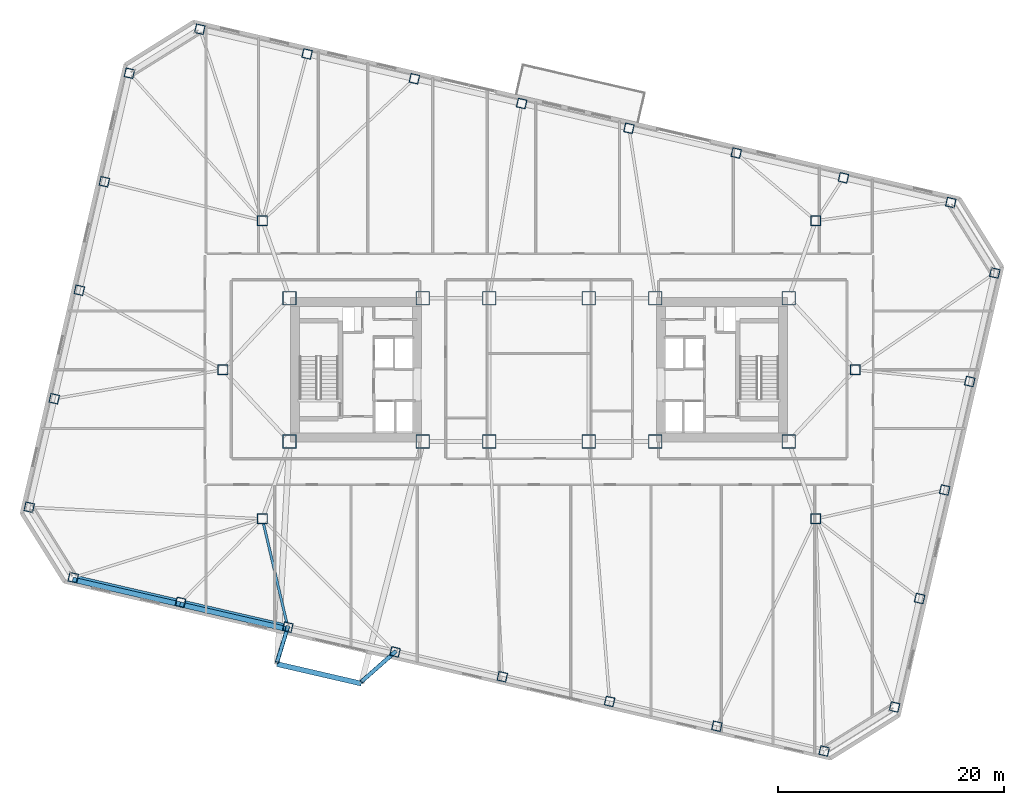
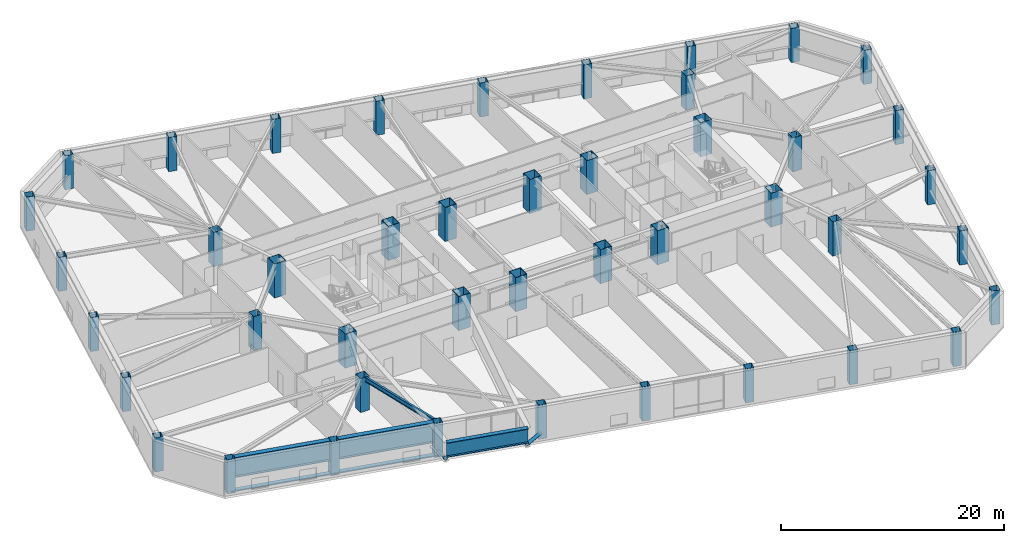
# One storey, part 1 of 20: 44 columns, 4 beams, 4 members.
"""IFC4 building model written with IfcOpenShell, lengths in metres."""

from ifc_helpers import new_model, si_unit, direction, frame, origin, origin_2d, place, context, subcontext, project, spatial, rectangle, hollow_rectangle, hollow_circle, i_section, extrude, material, material_profile, profile_set, type_object, element, save


model = new_model("IFC4")

# Units and contexts
model_context = context("Model", 3, precision=1e-05, world=origin(), true_north=direction((0.0, 1.0)))
body_context = subcontext(model_context, "Body", "Model", "MODEL_VIEW")
ifc_project = project(units=[si_unit("LENGTHUNIT", "METRE"), si_unit("AREAUNIT", "SQUARE_METRE"), si_unit("VOLUMEUNIT", "CUBIC_METRE"), si_unit("PLANEANGLEUNIT", "RADIAN"), si_unit("MASSUNIT", "GRAM", prefix="KILO")], contexts=[model_context])

# Site, building, storey
site_placement = place(None, origin())
site = spatial("IfcSite", under=ifc_project, at=site_placement, CompositionType="ELEMENT")
building_placement = place(site_placement, origin())
building = spatial("IfcBuilding", under=site, at=building_placement, Name="Tavrogorsk Clinical Tower", CompositionType="ELEMENT")
storey_placement = place(building_placement, frame((0.0, 0.0, 39.39990234375)))
storey = spatial("IfcBuildingStorey", under=building, at=storey_placement, Name="L07", CompositionType="ELEMENT", Elevation=39.39990234375)

# Columns
ifc_material_1 = material(Name="Structural steel S440", Category="steel")
ifc_material_profile_1 = material_profile(ifc_material_1, hollow_rectangle(XDim=1.199951171875, YDim=1.199951171875, WallThickness=0.050048828125, at=origin_2d()), Name="BOX-1200x1200x50")
ifc_profile_set_1 = profile_set([ifc_material_profile_1], Name="Structural steel S440")
column_type_1 = type_object("IfcColumnType", Name="MegaCol_BOX1200", PredefinedType="COLUMN", material=ifc_profile_set_1)
for number, where, z_axis, x_axis, name in (
    (1, (-22.10009765625, -6.35009765625, 0.0), (0.0, 0.0, 1.0), (1.0, 0.0, 0.0), "L07 Mega Column MC-W1"),
    (2, (-22.10009765625, 6.35009765625, 0.0), (0.0, 0.0, 1.0), (1.0, 0.0, 0.0), "L07 Mega Column MC-W2"),
    (3, (-10.300048828125, -6.35009765625, 0.0), (0.0, 0.0, 1.0), (1.0, 0.0, 0.0), "L07 Mega Column MC-W3"),
    (4, (-10.300048828125, 6.35009765625, 0.0), (0.0, 0.0, 1.0), (1.0, 0.0, 0.0), "L07 Mega Column MC-W4"),
    (5, (10.300048828125, -6.35009765625, 0.0), (0.0, 0.0, 1.0), (1.0, 0.0, 0.0), "L07 Mega Column MC-E1"),
    (6, (10.300048828125, 6.35009765625, 0.0), (0.0, 0.0, 1.0), (1.0, 0.0, 0.0), "L07 Mega Column MC-E2"),
    (7, (22.10009765625, -6.35009765625, 0.0), (0.0, 0.0, 1.0), (1.0, 0.0, 0.0), "L07 Mega Column MC-E3"),
    (8, (22.10009765625, 6.35009765625, 0.0), (0.0, 0.0, 1.0), (1.0, 0.0, 0.0), "L07 Mega Column MC-E4"),
    (9, (-4.39990234375, -6.35009765625, 0.0), (0.0, 0.0, 1.0), (1.0, 0.0, 0.0), "L07 Mega Column MC-C1"),
    (10, (4.39990234375, -6.35009765625, 0.0), (0.0, 0.0, 1.0), (1.0, 0.0, 0.0), "L07 Mega Column MC-C2"),
    (11, (-4.39990234375, 6.35009765625, 0.0), (0.0, 0.0, 1.0), (1.0, 0.0, 0.0), "L07 Mega Column MC-C3"),
    (12, (4.39990234375, 6.35009765625, 0.0), (0.0, 0.0, 1.0), (1.0, 0.0, 0.0), "L07 Mega Column MC-C4"),
):
    element("IfcColumn", number, at=place(storey_placement, frame(where, z_axis=z_axis, x_axis=x_axis)), inside=storey, type_object=column_type_1, Name=name, PredefinedType="COLUMN", context=body_context, shape_type="SweptSolid", body=[
        extrude(hollow_rectangle(XDim=1.199951171875, YDim=1.199951171875, WallThickness=0.050048828125, at=origin_2d()), origin(), (0.0, 0.0, 1.0), 3.739990234375),
    ])
ifc_material_2 = material(Name="Structural steel S440", Category="steel")
ifc_material_profile_2 = material_profile(ifc_material_2, hollow_rectangle(XDim=0.89990234375, YDim=0.89990234375, WallThickness=0.0400390625, at=origin_2d()), Name="BOX-900x900x40")
ifc_profile_set_2 = profile_set([ifc_material_profile_2], Name="Structural steel S440")
column_type_2 = type_object("IfcColumnType", Name="MegaCol_BOX900", PredefinedType="COLUMN", material=ifc_profile_set_2)
for number, where, z_axis, x_axis, name in (
    (13, (-24.5, -13.199951171875, 0.0), (0.0, 0.0, 1.0), (1.0, 0.0, 0.0), "L07 Spine Pilotis Column MC-P1"),
    (14, (24.5, -13.199951171875, 0.0), (0.0, 0.0, 1.0), (1.0, 0.0, 0.0), "L07 Spine Pilotis Column MC-P2"),
    (15, (-24.5, 13.199951171875, 0.0), (0.0, 0.0, 1.0), (1.0, 0.0, 0.0), "L07 Spine Pilotis Column MC-P3"),
    (16, (24.5, 13.199951171875, 0.0), (0.0, 0.0, 1.0), (1.0, 0.0, 0.0), "L07 Spine Pilotis Column MC-P4"),
    (17, (-28.0, 0.0, 0.0), (0.0, 0.0, 1.0), (1.0, 0.0, 0.0), "L07 Spine Pilotis Column MC-P5"),
    (18, (28.0, 0.0, 0.0), (0.0, 0.0, 1.0), (1.0, 0.0, 0.0), "L07 Spine Pilotis Column MC-P6"),
):
    element("IfcColumn", number, at=place(storey_placement, frame(where, z_axis=z_axis, x_axis=x_axis)), inside=storey, type_object=column_type_2, Name=name, PredefinedType="COLUMN", context=body_context, shape_type="SweptSolid", body=[
        extrude(hollow_rectangle(XDim=0.89990234375, YDim=0.89990234375, WallThickness=0.0400390625, at=origin_2d()), origin(), (0.0, 0.0, 1.0), 3.739990234375),
    ])
ifc_material_3 = material(Name="Structural steel S440", Category="steel")
ifc_material_profile_3 = material_profile(ifc_material_3, hollow_rectangle(XDim=0.800048828125, YDim=0.800048828125, WallThickness=0.035888671875, at=origin_2d()), Name="BOX-800x800x36")
ifc_profile_set_3 = profile_set([ifc_material_profile_3], Name="Structural steel S440")
column_type_3 = type_object("IfcColumnType", Name="PerimCol_B1_BOX800", PredefinedType="COLUMN", material=ifc_profile_set_3)
for number, where, z_axis, x_axis, name in (
    (19, (-41.251220703125, -18.406005859375, 0.0), (0.0, 0.0, 1.0), (0.974370064785, -0.224951054344, 0.0), "L07 Perimeter Column S1"),
    (20, (-31.75244140625, -20.598876953125, 0.0), (0.0, 0.0, 1.0), (0.974370064785, -0.224951054344, 0.0), "L07 Perimeter Column S2"),
    (21, (-22.25390625, -22.7919921875, 0.0), (0.0, 0.0, 1.0), (0.974370064785, -0.224951054344, 0.0), "L07 Perimeter Column S3"),
    (22, (-12.755126953125, -24.98486328125, 0.0), (0.0, 0.0, 1.0), (0.974370064785, -0.224951054344, 0.0), "L07 Perimeter Column S4"),
    (23, (-3.25634765625, -27.177734375, 0.0), (0.0, 0.0, 1.0), (0.974370064785, -0.224951054344, 0.0), "L07 Perimeter Column S5"),
    (24, (6.2421875, -29.37060546875, 0.0), (0.0, 0.0, 1.0), (0.974370064785, -0.224951054344, 0.0), "L07 Perimeter Column S6"),
    (25, (15.740966796875, -31.563720703125, 0.0), (0.0, 0.0, 1.0), (0.974370064785, -0.224951054344, 0.0), "L07 Perimeter Column S7"),
    (26, (25.23974609375, -33.756591796875, 0.0), (0.0, 0.0, 1.0), (0.974370064785, -0.224951054344, 0.0), "L07 Perimeter Column S8"),
    (27, (36.451416015625, 14.805908203125, 0.0), (0.0, 0.0, 1.0), (0.974370064785, -0.224951054344, 0.0), "L07 Perimeter Column N1"),
    (28, (26.952392578125, 16.998779296875, 0.0), (0.0, 0.0, 1.0), (0.974370064785, -0.224951054344, 0.0), "L07 Perimeter Column N2"),
    (29, (17.453857421875, 19.19189453125, 0.0), (0.0, 0.0, 1.0), (0.974370064785, -0.224951054344, 0.0), "L07 Perimeter Column N3"),
    (30, (7.955078125, 21.384765625, 0.0), (0.0, 0.0, 1.0), (0.974370064785, -0.224951054344, 0.0), "L07 Perimeter Column N4"),
    (31, (-1.543701171875, 23.577880859375, 0.0), (0.0, 0.0, 1.0), (0.974370064785, -0.224951054344, 0.0), "L07 Perimeter Column N5"),
    (32, (-11.042236328125, 25.770751953125, 0.0), (0.0, 0.0, 1.0), (0.974370064785, -0.224951054344, 0.0), "L07 Perimeter Column N6"),
    (33, (-20.541015625, 27.963623046875, 0.0), (0.0, 0.0, 1.0), (0.974370064785, -0.224951054344, 0.0), "L07 Perimeter Column N7"),
    (34, (-30.039794921875, 30.156494140625, 0.0), (0.0, 0.0, 1.0), (0.974370064785, -0.224951054344, 0.0), "L07 Perimeter Column N8"),
    (35, (31.476318359375, -29.859619140625, 0.0), (0.0, 0.0, 1.0), (0.974370064785, -0.224951054344, 0.0), "L07 Perimeter Column E1"),
    (36, (33.694091796875, -20.25244140625, 0.0), (0.0, 0.0, 1.0), (0.974370064785, -0.224951054344, 0.0), "L07 Perimeter Column E2"),
    (37, (35.912109375, -10.64501953125, 0.0), (0.0, 0.0, 1.0), (0.974370064785, -0.224951054344, 0.0), "L07 Perimeter Column E3"),
    (38, (38.130126953125, -1.037841796875, 0.0), (0.0, 0.0, 1.0), (0.974370064785, -0.224951054344, 0.0), "L07 Perimeter Column E4"),
    (39, (40.348388671875, 8.569580078125, 0.0), (0.0, 0.0, 1.0), (0.974370064785, -0.224951054344, 0.0), "L07 Perimeter Column E5"),
    (40, (-36.276123046875, 26.259765625, 0.0), (0.0, 0.0, 1.0), (0.974370064785, -0.224951054344, 0.0), "L07 Perimeter Column W1"),
    (41, (-38.494140625, 16.65234375, 0.0), (0.0, 0.0, 1.0), (0.974370064785, -0.224951054344, 0.0), "L07 Perimeter Column W2"),
    (42, (-40.712158203125, 7.045166015625, 0.0), (0.0, 0.0, 1.0), (0.974370064785, -0.224951054344, 0.0), "L07 Perimeter Column W3"),
    (43, (-42.93017578125, -2.562255859375, 0.0), (0.0, 0.0, 1.0), (0.974370064785, -0.224951054344, 0.0), "L07 Perimeter Column W4"),
    (44, (-45.148193359375, -12.16943359375, 0.0), (0.0, 0.0, 1.0), (0.974370064785, -0.224951054344, 0.0), "L07 Perimeter Column W5"),
):
    element("IfcColumn", number, at=place(storey_placement, frame(where, z_axis=z_axis, x_axis=x_axis)), inside=storey, type_object=column_type_3, Name=name, PredefinedType="COLUMN", context=body_context, shape_type="SweptSolid", body=[
        extrude(hollow_rectangle(XDim=0.800048828125, YDim=0.800048828125, WallThickness=0.035888671875, at=origin_2d()), origin(), (0.0, 0.0, 1.0), 3.739990234375),
    ])

# Members
ifc_material_4 = material(Name="Anodised aluminium alloy AW-6063", Category="aluminium")
ifc_material_profile_4 = material_profile(ifc_material_4, rectangle(XDim=0.449951171875, YDim=0.1201171875, at=origin_2d()), Name="ALU-SUNSHADE-450x120")
ifc_profile_set_4 = profile_set([ifc_material_profile_4], Name="Anodised aluminium alloy AW-6063")
member_type_1 = type_object("IfcMemberType", Name="ChicagoSunshade_450x120", PredefinedType="USERDEFINED", material=ifc_profile_set_4)
member_1_placement = place(storey_placement, frame((-41.291748046875, -18.581298828125, 0.18017578125), z_axis=(0.974366709214, -0.224965588425, 0.0), x_axis=(0.224965588425, 0.974366709214, 0.0)))
element("IfcMember", 45, at=member_1_placement, inside=storey, type_object=member_type_1, Name="L07 South Aluminium Sunshade S1", ObjectType="SUNSHADE", PredefinedType="USERDEFINED", context=body_context, shape_type="SweptSolid", body=[
    extrude(rectangle(XDim=0.449951171875, YDim=0.1201171875, at=origin_2d()), origin(), (0.0, 0.0, 1.0), 9.748779296875),
])
member_2_placement = place(storey_placement, frame((-31.79296875, -20.7744140625, 0.18017578125), z_axis=(0.974370931236, -0.2249473013, 0.0), x_axis=(0.2249473013, 0.974370931236, 0.0)))
element("IfcMember", 46, at=member_2_placement, inside=storey, type_object=member_type_1, Name="L07 South Aluminium Sunshade S2", ObjectType="SUNSHADE", PredefinedType="USERDEFINED", context=body_context, shape_type="SweptSolid", body=[
    extrude(rectangle(XDim=0.449951171875, YDim=0.1201171875, at=origin_2d()), origin(), (0.0, 0.0, 1.0), 9.748291015625),
])
ifc_material_5 = material(Name="Structural steel S390", Category="steel")
ifc_material_profile_5 = material_profile(ifc_material_5, hollow_circle(Radius=0.177734375, WallThickness=0.01416015625, at=origin_2d()), Name="CHS-355.6x14.2")
ifc_profile_set_5 = profile_set([ifc_material_profile_5], Name="Structural steel S390")
member_type_2 = type_object("IfcMemberType", Name="DayroomStrut_CHS355", PredefinedType="STRUT", material=ifc_profile_set_5)
member_3_placement = place(storey_placement, frame((-22.232177734375, -22.721435546875, 0.419189453125), z_axis=(-0.270857699967, -0.881198481282, 0.38746011789), x_axis=(0.95586442945, -0.293808087894, 0.0)))
element("IfcMember", 47, at=member_3_placement, inside=storey, type_object=member_type_2, Name="L08 Day-Room Raking Strut DRB-01-L", PredefinedType="STRUT", context=body_context, shape_type="SweptSolid", body=[
    extrude(hollow_circle(Radius=0.177734375, WallThickness=0.01416015625, at=origin_2d()), origin(), (0.0, 0.0, 1.0), 3.6181640625),
])
member_4_placement = place(storey_placement, frame((-12.698486328125, -24.934814453125, 0.424072265625), z_axis=(-0.709462383556, -0.625762084719, 0.324168073147), x_axis=(0.661482466426, -0.749960630041, 0.0)))
element("IfcMember", 48, at=member_4_placement, inside=storey, type_object=member_type_2, Name="L08 Day-Room Raking Strut DRB-01-R", PredefinedType="STRUT", context=body_context, shape_type="SweptSolid", body=[
    extrude(hollow_circle(Radius=0.177734375, WallThickness=0.01416015625, at=origin_2d()), origin(), (0.0, 0.0, 1.0), 4.293701171875),
])

# Beams
ifc_material_6 = material(Name="Structural steel S355", Category="steel")
ifc_material_profile_6 = material_profile(ifc_material_6, i_section(OverallWidth=0.219970703125, OverallDepth=0.5, WebThickness=0.012939453125, FlangeThickness=0.02001953125, at=origin_2d()), Name="B-500x220x13x20")
ifc_profile_set_6 = profile_set([ifc_material_profile_6], Name="Structural steel S355")
beam_type_1 = type_object("IfcBeamType", Name="FloorBeam_B500", PredefinedType="BEAM", material=ifc_profile_set_6)
beam_1_placement = place(storey_placement, frame((-24.406494140625, -13.59912109375, 3.489990234375), z_axis=(0.227996771429, -0.973661888038, 0.0), x_axis=(0.973661888038, 0.227996771429, 0.0)))
element("IfcBeam", 49, at=beam_1_placement, inside=storey, type_object=beam_type_1, Name="L07 Radial Floor Beam S3", PredefinedType="BEAM", context=body_context, shape_type="SweptSolid", body=[
    extrude(i_section(OverallWidth=0.219970703125, OverallDepth=0.5, WebThickness=0.012939453125, FlangeThickness=0.02001953125, at=origin_2d()), origin(), (0.0, 0.0, 1.0), 9.033447265625),
])
ifc_material_7 = material(Name="Structural steel S440", Category="steel")
ifc_material_profile_7 = material_profile(ifc_material_7, i_section(OverallWidth=0.449951171875, OverallDepth=1.60009765625, WebThickness=0.031982421875, FlangeThickness=0.050048828125, at=origin_2d()), Name="DK-1600x450x32x50")
ifc_profile_set_7 = profile_set([ifc_material_profile_7], Name="Structural steel S440")
beam_type_2 = type_object("IfcBeamType", Name="TransferGirder_DK1600", PredefinedType="USERDEFINED", material=ifc_profile_set_7)
beam_2_placement = place(storey_placement, frame((-23.202880859375, -26.058837890625, 2.940185546875), z_axis=(0.974274467274, -0.225364731975, 0.0), x_axis=(0.225364731975, 0.974274467274, 0.0)))
element("IfcBeam", 50, at=beam_2_placement, inside=storey, type_object=beam_type_2, Name="L08 Day-Room Base Edge Girder DRB-01", ObjectType="GIRDER", PredefinedType="USERDEFINED", context=body_context, shape_type="SweptSolid", body=[
    extrude(i_section(OverallWidth=0.449951171875, OverallDepth=1.60009765625, WebThickness=0.031982421875, FlangeThickness=0.050048828125, at=origin_2d()), origin(), (0.0, 0.0, 1.0), 7.657958984375),
])
ifc_material_8 = material(Name="Structural steel S440", Category="steel")
ifc_material_profile_8 = material_profile(ifc_material_8, i_section(OverallWidth=0.5, OverallDepth=2.199951171875, WebThickness=0.035888671875, FlangeThickness=0.054931640625, at=origin_2d()), Name="DK-2200x500x36x55")
ifc_profile_set_8 = profile_set([ifc_material_profile_8], Name="Structural steel S440")
beam_type_3 = type_object("IfcBeamType", Name="TransferGirder_DK2200", PredefinedType="USERDEFINED", material=ifc_profile_set_8)
for number, where, z_axis, x_axis, name in (
    (51, (-40.853759765625, -18.497802734375, 2.64013671875), (0.974372766602, -0.224939351168, 0.0), (0.224939351168, 0.974372766602, 0.0), "L07 Perimeter Spandrel S1-S2"),
    (52, (-31.35498046875, -20.690673828125, 2.64013671875), (0.974366775889, -0.224965299645, 0.0), (0.224965299645, 0.974366775889, 0.0), "L07 Perimeter Spandrel S2-S3"),
):
    element("IfcBeam", number, at=place(storey_placement, frame(where, z_axis=z_axis, x_axis=x_axis)), inside=storey, type_object=beam_type_3, Name=name, ObjectType="GIRDER", PredefinedType="USERDEFINED", context=body_context, shape_type="SweptSolid", body=[
        extrude(i_section(OverallWidth=0.5, OverallDepth=2.199951171875, WebThickness=0.035888671875, FlangeThickness=0.054931640625, at=origin_2d()), origin(), (0.0, 0.0, 1.0), 8.9326171875),
    ])

save(model, "model.ifc")
